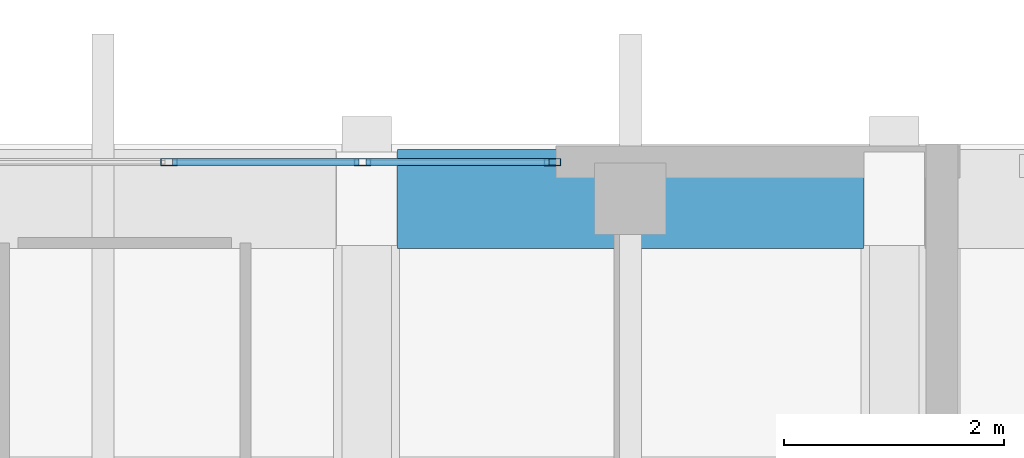
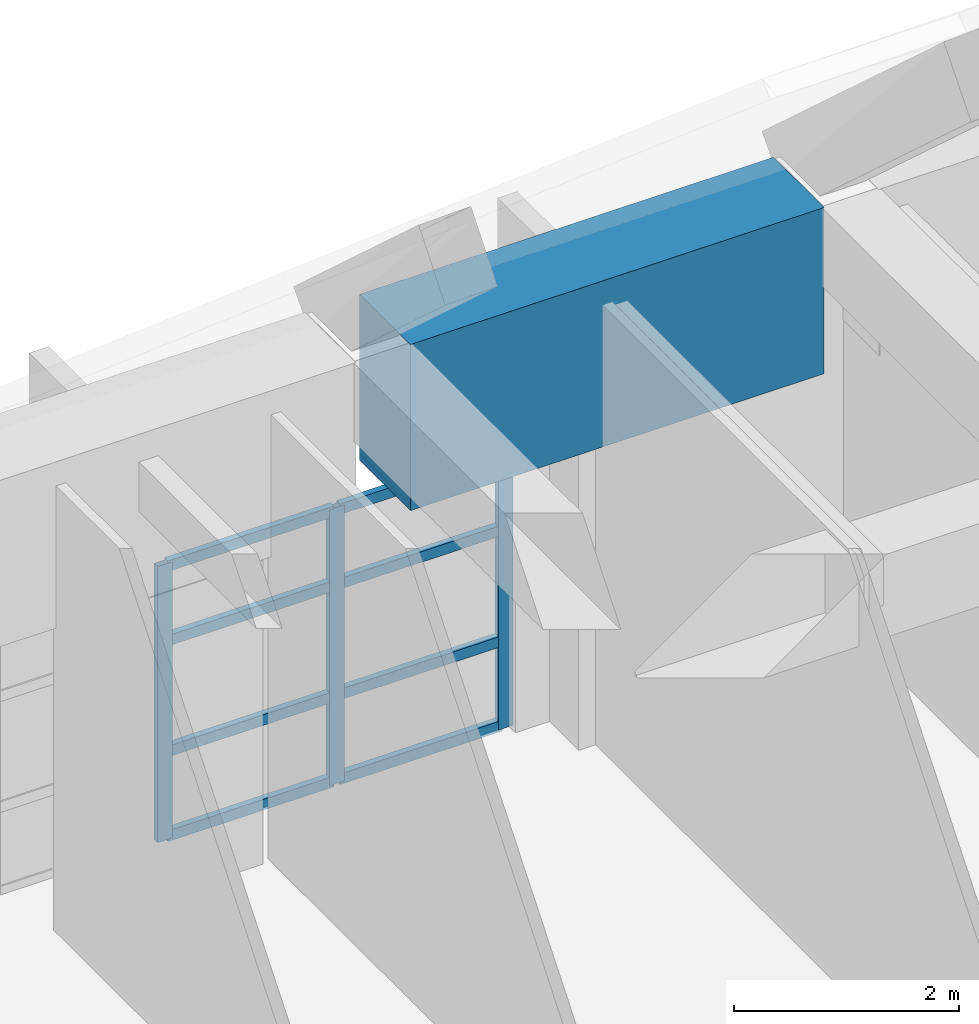
# One storey, part 40 of 78: 11 members, 1 beam, 1 element without a shape of its own.
"""IFC4 building model written with IfcOpenShell, lengths in metres."""

from ifc_helpers import new_model, si_unit, direction, frame, origin, origin_2d, place, context, subcontext, project, spatial, rectangle, hollow_rectangle, extrude, material, layer, layer_set, material_profile, profile_set, type_object, element, aggregate, save


model = new_model("IFC4")

# Units and contexts
model_context = context("Model", 3, precision=1e-05, world=origin(), true_north=direction((0.0, 1.0)))
body_context = subcontext(model_context, "Body", "Model", "MODEL_VIEW")
ifc_project = project(units=[si_unit("LENGTHUNIT", "METRE"), si_unit("AREAUNIT", "SQUARE_METRE"), si_unit("VOLUMEUNIT", "CUBIC_METRE"), si_unit("PLANEANGLEUNIT", "RADIAN"), si_unit("MASSUNIT", "GRAM", prefix="KILO")], contexts=[model_context])

# Site, building, storey
site_placement = place(None, origin())
site = spatial("IfcSite", under=ifc_project, at=site_placement, CompositionType="ELEMENT")
building_placement = place(site_placement, origin())
building = spatial("IfcBuilding", under=site, at=building_placement, Name="Quendrovan Civic Courthouse", CompositionType="ELEMENT")
storey_placement = place(building_placement, frame((0.0, 0.0, 20.39990234375)))
storey = spatial("IfcBuildingStorey", under=building, at=storey_placement, Name="L05", CompositionType="ELEMENT", Elevation=20.39990234375)

# Beam
ifc_material_1 = material(Name="Concrete C45/55", Category="concrete")
ifc_material_profile_1 = material_profile(ifc_material_1, rectangle(XDim=0.89990234375, YDim=1.800048828125, at=origin_2d()), Name="RC-TG-900x1800")
ifc_profile_set_1 = profile_set([ifc_material_profile_1], Name="Concrete C45/55")
beam_type = type_object("IfcBeamType", Name="BM-TG1800", PredefinedType="BEAM", material=ifc_profile_set_1)
beam_placement = place(storey_placement, frame((123.8798828125, 109.89990234375, 4.2001953125), z_axis=(1.0, 0.0, 0.0), x_axis=(0.0, 1.0, 0.0)))
element("IfcBeam", 1, at=beam_placement, inside=storey, type_object=beam_type, Name="BV1 Springing Collector Girder N-4", PredefinedType="BEAM", context=body_context, shape_type="SweptSolid", body=[
    extrude(rectangle(XDim=0.89990234375, YDim=1.800048828125, at=origin_2d()), origin(), (0.0, 0.0, 1.0), 4.240234375),
])

# Curtain wall, members
ifc_material_2 = material(Name="Bronze anodised aluminium and low-E glass", Category="aluminium")
ifc_layer = layer(ifc_material_2, 0.179931640625, Name="Bronze anodised aluminium and low-E glass")
ifc_layer_set = layer_set([ifc_layer], Name="Bronze anodised aluminium and low-E glass")
curtain_wall_type = type_object("IfcCurtainWallType", Name="CW-U70x30", PredefinedType="USERDEFINED", material=ifc_layer_set)
curtain_wall_placement = place(storey_placement, origin())
curtain_wall = element("IfcCurtainWall", 2, at=curtain_wall_placement, inside=storey, type_object=curtain_wall_type, Name="L05 Unitised Hurricane Curtain Wall CW-193", ObjectType="UNITISED CURTAIN WALL", PredefinedType="USERDEFINED")
ifc_material_3 = material(Name="Bronze anodised aluminium", Category="aluminium")
ifc_material_profile_2 = material_profile(ifc_material_3, hollow_rectangle(XDim=0.06494140625, YDim=0.14990234375, WallThickness=0.00390625, at=origin_2d()), Name="CW-MULL-65x150")
ifc_profile_set_2 = profile_set([ifc_material_profile_2], Name="Bronze anodised aluminium")
member_type_1 = type_object("IfcMemberType", Name="CW-MULL-B", PredefinedType="MULLION", material=ifc_profile_set_2)
member_1_placement = place(storey_placement, frame((121.800048828125, 110.235107421875, 0.0), z_axis=(0.0, 0.0, 1.0), x_axis=(0.0, 1.0, 0.0)))
member_1 = element("IfcMember", 3, at=member_1_placement, type_object=member_type_1, Name="CW-193 mullion 3", PredefinedType="MULLION", context=body_context, shape_type="SweptSolid", body=[
    extrude(hollow_rectangle(XDim=0.06494140625, YDim=0.14990234375, WallThickness=0.00390625, at=origin_2d()), origin(), (0.0, 0.0, 1.0), 2.989990234375),
])
member_2_placement = place(storey_placement, frame((123.5625, 110.235107421875, 0.0), z_axis=(0.0, 0.0, 1.0), x_axis=(0.0, 1.0, 0.0)))
member_2 = element("IfcMember", 4, at=member_2_placement, type_object=member_type_1, Name="CW-193 mullion 4", PredefinedType="MULLION", context=body_context, shape_type="SweptSolid", body=[
    extrude(hollow_rectangle(XDim=0.06494140625, YDim=0.14990234375, WallThickness=0.00390625, at=origin_2d()), origin(), (0.0, 0.0, 1.0), 2.989990234375),
])
member_3_placement = place(storey_placement, frame((125.29248046875, 110.235107421875, 0.0), z_axis=(0.0, 0.0, 1.0), x_axis=(0.0, 1.0, 0.0)))
member_3 = element("IfcMember", 5, at=member_3_placement, type_object=member_type_1, Name="CW-193 mullion 5", PredefinedType="MULLION", context=body_context, shape_type="SweptSolid", body=[
    extrude(hollow_rectangle(XDim=0.06494140625, YDim=0.14990234375, WallThickness=0.00390625, at=origin_2d()), origin(), (0.0, 0.0, 1.0), 2.989990234375),
])
ifc_material_profile_3 = material_profile(ifc_material_3, hollow_rectangle(XDim=0.06494140625, YDim=0.114990234375, WallThickness=0.00390625, at=origin_2d()), Name="CW-TRAN-65x115")
ifc_profile_set_3 = profile_set([ifc_material_profile_3], Name="Bronze anodised aluminium")
member_type_2 = type_object("IfcMemberType", Name="CW-TRAN-B", PredefinedType="USERDEFINED", material=ifc_profile_set_3)
member_4_placement = place(storey_placement, frame((121.83251953125, 110.235107421875, 0.03271484375), z_axis=(1.0, 0.0, 0.0), x_axis=(0.0, 1.0, 0.0)))
member_4 = element("IfcMember", 6, at=member_4_placement, type_object=member_type_2, Name="CW-193 transom 3.1", ObjectType="TRANSOM", PredefinedType="USERDEFINED", context=body_context, shape_type="SweptSolid", body=[
    extrude(hollow_rectangle(XDim=0.06494140625, YDim=0.114990234375, WallThickness=0.00390625, at=origin_2d()), origin(), (0.0, 0.0, 1.0), 1.697509765625),
])
member_5_placement = place(storey_placement, frame((121.83251953125, 110.235107421875, 0.9501953125), z_axis=(1.0, 0.0, 0.0), x_axis=(0.0, 1.0, 0.0)))
member_5 = element("IfcMember", 7, at=member_5_placement, type_object=member_type_2, Name="CW-193 transom 3.2", ObjectType="TRANSOM", PredefinedType="USERDEFINED", context=body_context, shape_type="SweptSolid", body=[
    extrude(hollow_rectangle(XDim=0.06494140625, YDim=0.114990234375, WallThickness=0.00390625, at=origin_2d()), origin(), (0.0, 0.0, 1.0), 1.697509765625),
])
member_6_placement = place(storey_placement, frame((121.83251953125, 110.235107421875, 2.150146484375), z_axis=(1.0, 0.0, 0.0), x_axis=(0.0, 1.0, 0.0)))
member_6 = element("IfcMember", 8, at=member_6_placement, type_object=member_type_2, Name="CW-193 transom 3.3", ObjectType="TRANSOM", PredefinedType="USERDEFINED", context=body_context, shape_type="SweptSolid", body=[
    extrude(hollow_rectangle(XDim=0.06494140625, YDim=0.114990234375, WallThickness=0.00390625, at=origin_2d()), origin(), (0.0, 0.0, 1.0), 1.697509765625),
])
member_7_placement = place(storey_placement, frame((121.83251953125, 110.235107421875, 2.95751953125), z_axis=(1.0, 0.0, 0.0), x_axis=(0.0, 1.0, 0.0)))
member_7 = element("IfcMember", 9, at=member_7_placement, type_object=member_type_2, Name="CW-193 transom 3.4", ObjectType="TRANSOM", PredefinedType="USERDEFINED", context=body_context, shape_type="SweptSolid", body=[
    extrude(hollow_rectangle(XDim=0.06494140625, YDim=0.114990234375, WallThickness=0.00390625, at=origin_2d()), origin(), (0.0, 0.0, 1.0), 1.697509765625),
])
member_8_placement = place(storey_placement, frame((123.594970703125, 110.235107421875, 0.03271484375), z_axis=(1.0, 0.0, 0.0), x_axis=(0.0, 1.0, 0.0)))
member_8 = element("IfcMember", 10, at=member_8_placement, type_object=member_type_2, Name="CW-193 transom 4.1", ObjectType="TRANSOM", PredefinedType="USERDEFINED", context=body_context, shape_type="SweptSolid", body=[
    extrude(hollow_rectangle(XDim=0.06494140625, YDim=0.114990234375, WallThickness=0.00390625, at=origin_2d()), origin(), (0.0, 0.0, 1.0), 1.6650390625),
])
member_9_placement = place(storey_placement, frame((123.594970703125, 110.235107421875, 0.9501953125), z_axis=(1.0, 0.0, 0.0), x_axis=(0.0, 1.0, 0.0)))
member_9 = element("IfcMember", 11, at=member_9_placement, type_object=member_type_2, Name="CW-193 transom 4.2", ObjectType="TRANSOM", PredefinedType="USERDEFINED", context=body_context, shape_type="SweptSolid", body=[
    extrude(hollow_rectangle(XDim=0.06494140625, YDim=0.114990234375, WallThickness=0.00390625, at=origin_2d()), origin(), (0.0, 0.0, 1.0), 1.6650390625),
])
member_10_placement = place(storey_placement, frame((123.594970703125, 110.235107421875, 2.150146484375), z_axis=(1.0, 0.0, 0.0), x_axis=(0.0, 1.0, 0.0)))
member_10 = element("IfcMember", 12, at=member_10_placement, type_object=member_type_2, Name="CW-193 transom 4.3", ObjectType="TRANSOM", PredefinedType="USERDEFINED", context=body_context, shape_type="SweptSolid", body=[
    extrude(hollow_rectangle(XDim=0.06494140625, YDim=0.114990234375, WallThickness=0.00390625, at=origin_2d()), origin(), (0.0, 0.0, 1.0), 1.6650390625),
])
member_11_placement = place(storey_placement, frame((123.594970703125, 110.235107421875, 2.95751953125), z_axis=(1.0, 0.0, 0.0), x_axis=(0.0, 1.0, 0.0)))
member_11 = element("IfcMember", 13, at=member_11_placement, type_object=member_type_2, Name="CW-193 transom 4.4", ObjectType="TRANSOM", PredefinedType="USERDEFINED", context=body_context, shape_type="SweptSolid", body=[
    extrude(hollow_rectangle(XDim=0.06494140625, YDim=0.114990234375, WallThickness=0.00390625, at=origin_2d()), origin(), (0.0, 0.0, 1.0), 1.6650390625),
])
aggregate(curtain_wall, [member_1, member_2, member_3, member_4, member_5, member_6, member_7, member_8, member_9, member_10, member_11])

save(model, "model.ifc")
